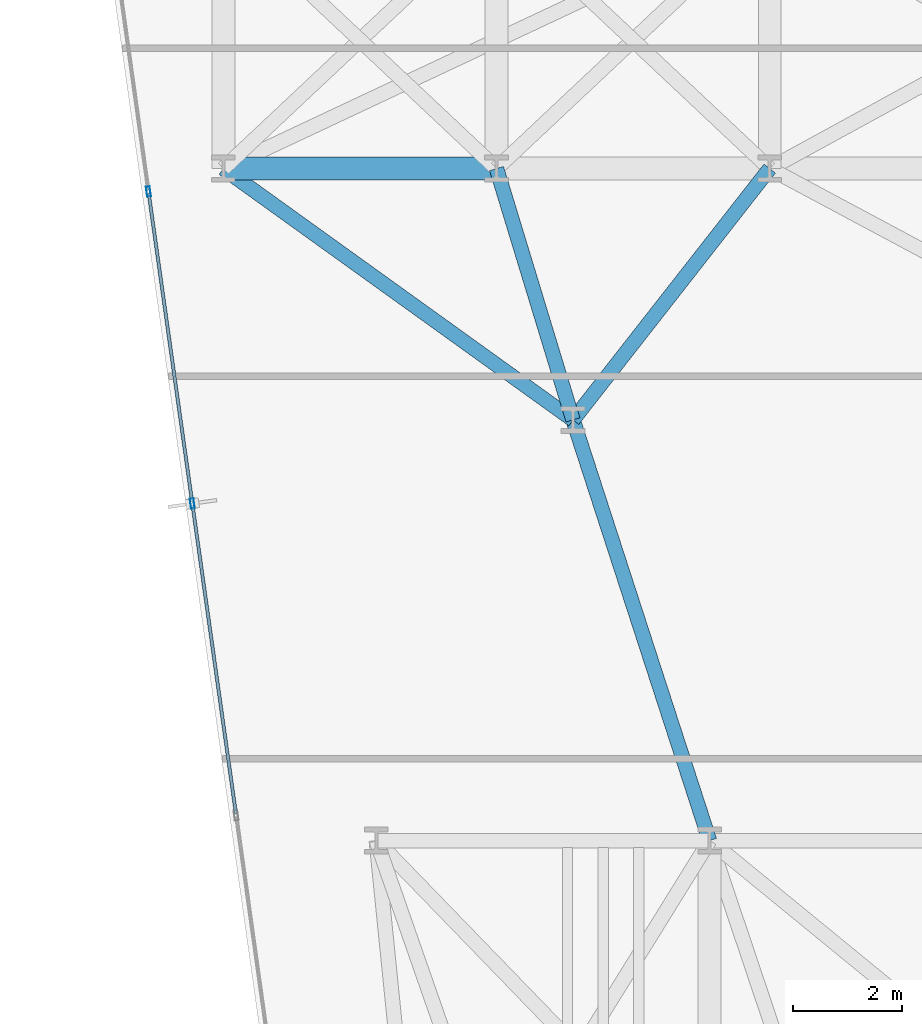
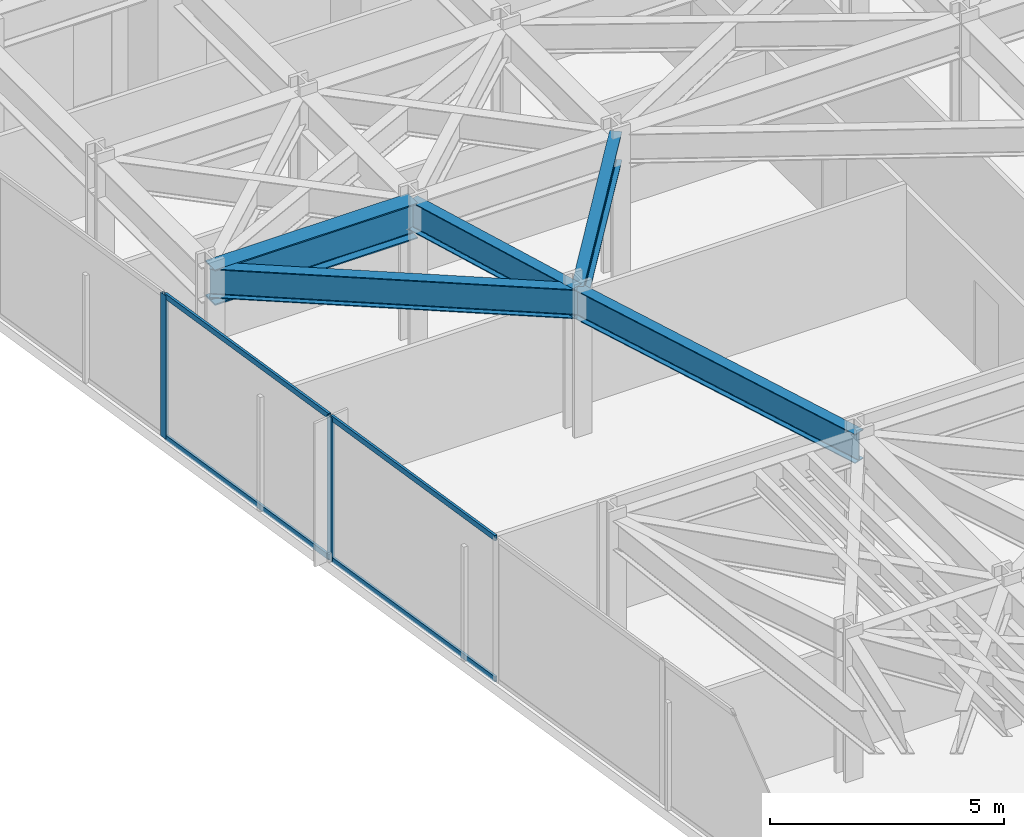
# One storey, part 7 of 25: 6 members, 5 beams, 1 element without a shape of its own.
"""IFC4 building model written with IfcOpenShell, lengths in metres."""

from ifc_helpers import new_model, si_unit, direction, frame, origin, origin_2d, place, context, subcontext, project, spatial, hollow_rectangle, i_section, extrude, material, layer, layer_set, material_profile, profile_set, type_object, element, aggregate, save


model = new_model("IFC4")

# Units and contexts
model_context = context("Model", 3, precision=1e-05, world=origin(), true_north=direction((0.0, 1.0)))
body_context = subcontext(model_context, "Body", "Model", "MODEL_VIEW")
ifc_project = project(units=[si_unit("LENGTHUNIT", "METRE"), si_unit("AREAUNIT", "SQUARE_METRE"), si_unit("VOLUMEUNIT", "CUBIC_METRE"), si_unit("PLANEANGLEUNIT", "RADIAN"), si_unit("MASSUNIT", "GRAM", prefix="KILO")], contexts=[model_context])

# Site, building, storey
site_placement = place(None, origin())
site = spatial("IfcSite", under=ifc_project, at=site_placement, CompositionType="ELEMENT")
building_placement = place(site_placement, origin())
building = spatial("IfcBuilding", under=site, at=building_placement, Name="Kravanh Interchange Tower", CompositionType="ELEMENT")
storey_placement = place(building_placement, frame((0.0, 0.0, 65.5)))
storey = spatial("IfcBuildingStorey", under=building, at=storey_placement, Name="L15", CompositionType="ELEMENT", Elevation=65.5)

# Curtain wall, members
ifc_material_1 = material(Name="Anodised Bronze Aluminium", Category="aluminium")
ifc_layer = layer(ifc_material_1, 0.179931640625)
ifc_layer_set = layer_set([ifc_layer], Name="Unitised Curtain Wall System CW-Z1 Lower Office")
curtain_wall_type = type_object("IfcCurtainWallType", Name="Unitised Curtain Wall System CW-Z1 Lower Office", PredefinedType="NOTDEFINED", material=ifc_layer_set)
curtain_wall_placement = place(storey_placement, origin())
curtain_wall = element("IfcCurtainWall", 1, at=curtain_wall_placement, inside=storey, type_object=curtain_wall_type, Name="L15 Unitised Curtain Wall CW-L15-01", PredefinedType="NOTDEFINED")
ifc_material_2 = material(Name="Anodised Bronze Aluminium", Category="aluminium")
ifc_material_profile_1 = material_profile(ifc_material_2, hollow_rectangle(XDim=0.070068359375, YDim=0.179931640625, WallThickness=0.00390625, at=origin_2d()), Name="ALU70X180X4")
ifc_profile_set_1 = profile_set([ifc_material_profile_1], Name="Anodised Bronze Aluminium")
member_type_1 = type_object("IfcMemberType", Name="Curtain Wall Mullion ALU70X180X4 Bronze", PredefinedType="MULLION", material=ifc_profile_set_1)
member_1_placement = place(storey_placement, frame((8.03271484375, 20.66845703125, 0.0), z_axis=(0.0, 0.0, 1.0), x_axis=(-0.990267585682, -0.139176538065, 0.0)))
member_1 = element("IfcMember", 2, at=member_1_placement, type_object=member_type_1, Name="CW-Z1 mullion 4", PredefinedType="MULLION", context=body_context, shape_type="SweptSolid", body=[
    extrude(hollow_rectangle(XDim=0.070068359375, YDim=0.179931640625, WallThickness=0.00390625, at=origin_2d()), origin(), (0.0, 0.0, 1.0), 3.739990234375),
])
member_2_placement = place(storey_placement, frame((7.22998046875, 26.37890625, 0.0), z_axis=(0.0, 0.0, 1.0), x_axis=(-0.990267585682, -0.139176538065, 0.0)))
member_2 = element("IfcMember", 3, at=member_2_placement, type_object=member_type_1, Name="CW-Z1 mullion 5", PredefinedType="MULLION", context=body_context, shape_type="SweptSolid", body=[
    extrude(hollow_rectangle(XDim=0.070068359375, YDim=0.179931640625, WallThickness=0.00390625, at=origin_2d()), origin(), (0.0, 0.0, 1.0), 3.739990234375),
])
ifc_material_3 = material(Name="Anodised Bronze Aluminium", Category="aluminium")
ifc_material_profile_2 = material_profile(ifc_material_3, hollow_rectangle(XDim=0.06005859375, YDim=0.139892578125, WallThickness=0.00390625, at=origin_2d()), Name="ALU60X140X4")
ifc_profile_set_2 = profile_set([ifc_material_profile_2], Name="Anodised Bronze Aluminium")
member_type_2 = type_object("IfcMemberType", Name="Curtain Wall Transom ALU60X140X4 Bronze", PredefinedType="USERDEFINED", material=ifc_profile_set_2)
member_3_placement = place(storey_placement, frame((8.830322265625, 14.992431640625, 0.030029296875), z_axis=(-0.139153051789, 0.990270886262, 0.0), x_axis=(-0.990270886262, -0.139153051789, 0.0)))
member_3 = element("IfcMember", 4, at=member_3_placement, type_object=member_type_2, Name="CW-Z1 transom 3.1", ObjectType="TRANSOM", PredefinedType="USERDEFINED", context=body_context, shape_type="SweptSolid", body=[
    extrude(hollow_rectangle(XDim=0.06005859375, YDim=0.139892578125, WallThickness=0.00390625, at=origin_2d()), origin(), (0.0, 0.0, 1.0), 5.69677734375),
])
member_4_placement = place(storey_placement, frame((8.830322265625, 14.992431640625, 3.7099609375), z_axis=(-0.139153051789, 0.990270886262, 0.0), x_axis=(-0.990270886262, -0.139153051789, 0.0)))
member_4 = element("IfcMember", 5, at=member_4_placement, type_object=member_type_2, Name="CW-Z1 transom 3.2", ObjectType="TRANSOM", PredefinedType="USERDEFINED", context=body_context, shape_type="SweptSolid", body=[
    extrude(hollow_rectangle(XDim=0.06005859375, YDim=0.139892578125, WallThickness=0.00390625, at=origin_2d()), origin(), (0.0, 0.0, 1.0), 5.69677734375),
])
member_5_placement = place(storey_placement, frame((8.02783203125, 20.703125, 0.030029296875), z_axis=(-0.139200984921, 0.990264149506, 0.0), x_axis=(-0.990264149506, -0.139200984921, 0.0)))
member_5 = element("IfcMember", 6, at=member_5_placement, type_object=member_type_2, Name="CW-Z1 transom 4.1", ObjectType="TRANSOM", PredefinedType="USERDEFINED", context=body_context, shape_type="SweptSolid", body=[
    extrude(hollow_rectangle(XDim=0.06005859375, YDim=0.139892578125, WallThickness=0.00390625, at=origin_2d()), origin(), (0.0, 0.0, 1.0), 5.696533203125),
])
member_6_placement = place(storey_placement, frame((8.02783203125, 20.703125, 3.7099609375), z_axis=(-0.139200984921, 0.990264149506, 0.0), x_axis=(-0.990264149506, -0.139200984921, 0.0)))
member_6 = element("IfcMember", 7, at=member_6_placement, type_object=member_type_2, Name="CW-Z1 transom 4.2", ObjectType="TRANSOM", PredefinedType="USERDEFINED", context=body_context, shape_type="SweptSolid", body=[
    extrude(hollow_rectangle(XDim=0.06005859375, YDim=0.139892578125, WallThickness=0.00390625, at=origin_2d()), origin(), (0.0, 0.0, 1.0), 5.696533203125),
])
aggregate(curtain_wall, [member_1, member_2, member_3, member_4, member_5, member_6])

# Beams
ifc_material_4 = material(Name="Structural Steel S355", Category="steel")
ifc_material_profile_3 = material_profile(ifc_material_4, i_section(OverallWidth=0.41796875, OverallDepth=0.927001953125, WebThickness=0.019287109375, FlangeThickness=0.031982421875, FilletRadius=0.028076171875, at=origin_2d()), Name="W36X231")
ifc_profile_set_3 = profile_set([ifc_material_profile_3], Name="Structural Steel S355")
beam_type_1 = type_object("IfcBeamType", Name="Floor Beam W36X231 Structural Steel S355", PredefinedType="BEAM", material=ifc_profile_set_3)
beam_1_placement = place(storey_placement, frame((8.60009765625, 26.800048828125, 3.276611328125), z_axis=(1.0, 0.0, 0.0), x_axis=(0.0, 1.0, 0.0)))
element("IfcBeam", 8, at=beam_1_placement, inside=storey, type_object=beam_type_1, Name="L15 Primary Floor Girder 67", PredefinedType="BEAM", context=body_context, shape_type="SweptSolid", body=[
    extrude(i_section(OverallWidth=0.41796875, OverallDepth=0.927001953125, WebThickness=0.019287109375, FlangeThickness=0.031982421875, FilletRadius=0.028076171875, at=origin_2d()), origin(), (0.0, 0.0, 1.0), 5.0),
])
ifc_material_5 = material(Name="Structural Steel S355", Category="steel")
ifc_material_profile_4 = material_profile(ifc_material_5, i_section(OverallWidth=0.26708984375, OverallDepth=0.761962890625, WebThickness=0.014404296875, FlangeThickness=0.021484375, FilletRadius=0.02490234375, at=origin_2d()), Name="W30X116")
ifc_profile_set_4 = profile_set([ifc_material_profile_4], Name="Structural Steel S355")
beam_type_2 = type_object("IfcBeamType", Name="Floor Spandrel W30X116 Structural Steel S355", PredefinedType="SPANDREL", material=ifc_profile_set_4)
beam_2_placement = place(storey_placement, frame((15.0, 22.199951171875, 3.35888671875), z_axis=(-0.291137370727, 0.956681259023, 0.0), x_axis=(-0.956681259023, -0.291137370727, 0.0)))
element("IfcBeam", 9, at=beam_2_placement, inside=storey, type_object=beam_type_2, Name="L15 Perimeter Spandrel 50", PredefinedType="SPANDREL", context=body_context, shape_type="SweptSolid", body=[
    extrude(i_section(OverallWidth=0.26708984375, OverallDepth=0.761962890625, WebThickness=0.014404296875, FlangeThickness=0.021484375, FilletRadius=0.02490234375, at=origin_2d()), origin(), (0.0, 0.0, 1.0), 4.808349609375),
])
beam_3_placement = place(storey_placement, frame((15.0, 22.199951171875, 3.35888671875), z_axis=(0.616310515553, 0.787503237085, 0.0), x_axis=(-0.787503237085, 0.616310515553, 0.0)))
element("IfcBeam", 10, at=beam_3_placement, inside=storey, type_object=beam_type_2, Name="L15 Perimeter Spandrel 51", PredefinedType="SPANDREL", context=body_context, shape_type="SweptSolid", body=[
    extrude(i_section(OverallWidth=0.26708984375, OverallDepth=0.761962890625, WebThickness=0.014404296875, FlangeThickness=0.021484375, FilletRadius=0.02490234375, at=origin_2d()), origin(), (0.0, 0.0, 1.0), 5.84130859375),
])
beam_4_placement = place(storey_placement, frame((15.0, 22.199951171875, 3.35888671875), z_axis=(-0.812005278585, 0.583650089994, 0.0), x_axis=(-0.583650089994, -0.812005278585, 0.0)))
element("IfcBeam", 11, at=beam_4_placement, inside=storey, type_object=beam_type_2, Name="L15 Perimeter Spandrel 52", PredefinedType="SPANDREL", context=body_context, shape_type="SweptSolid", body=[
    extrude(i_section(OverallWidth=0.26708984375, OverallDepth=0.761962890625, WebThickness=0.014404296875, FlangeThickness=0.021484375, FilletRadius=0.02490234375, at=origin_2d()), origin(), (0.0, 0.0, 1.0), 7.881591796875),
])
beam_5_placement = place(storey_placement, frame((15.0, 22.199951171875, 3.35888671875), z_axis=(0.30880852537, -0.951124226723, 0.0), x_axis=(0.951124226723, 0.30880852537, 0.0)))
element("IfcBeam", 12, at=beam_5_placement, inside=storey, type_object=beam_type_2, Name="L15 Perimeter Spandrel 53", PredefinedType="SPANDREL", context=body_context, shape_type="SweptSolid", body=[
    extrude(i_section(OverallWidth=0.26708984375, OverallDepth=0.761962890625, WebThickness=0.014404296875, FlangeThickness=0.021484375, FilletRadius=0.02490234375, at=origin_2d()), origin(), (0.0, 0.0, 1.0), 8.095703125),
])

save(model, "model.ifc")
